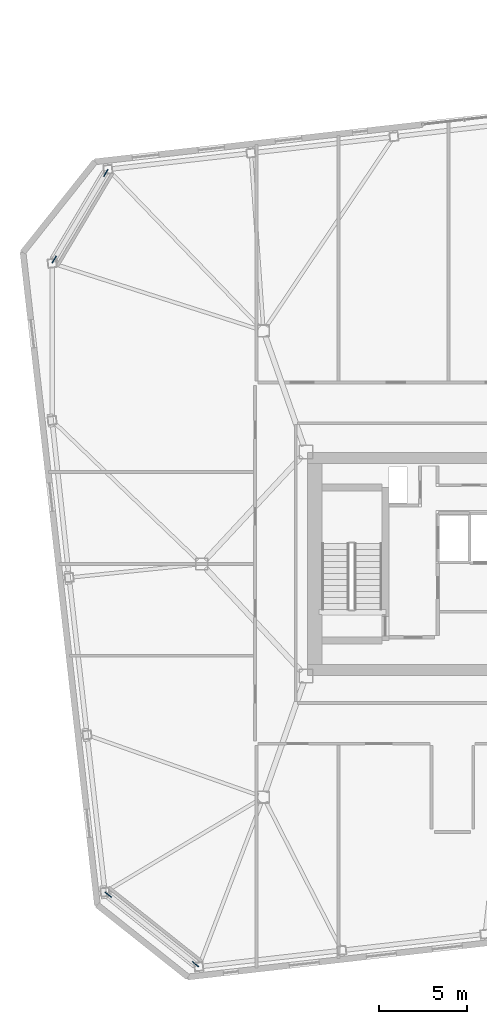
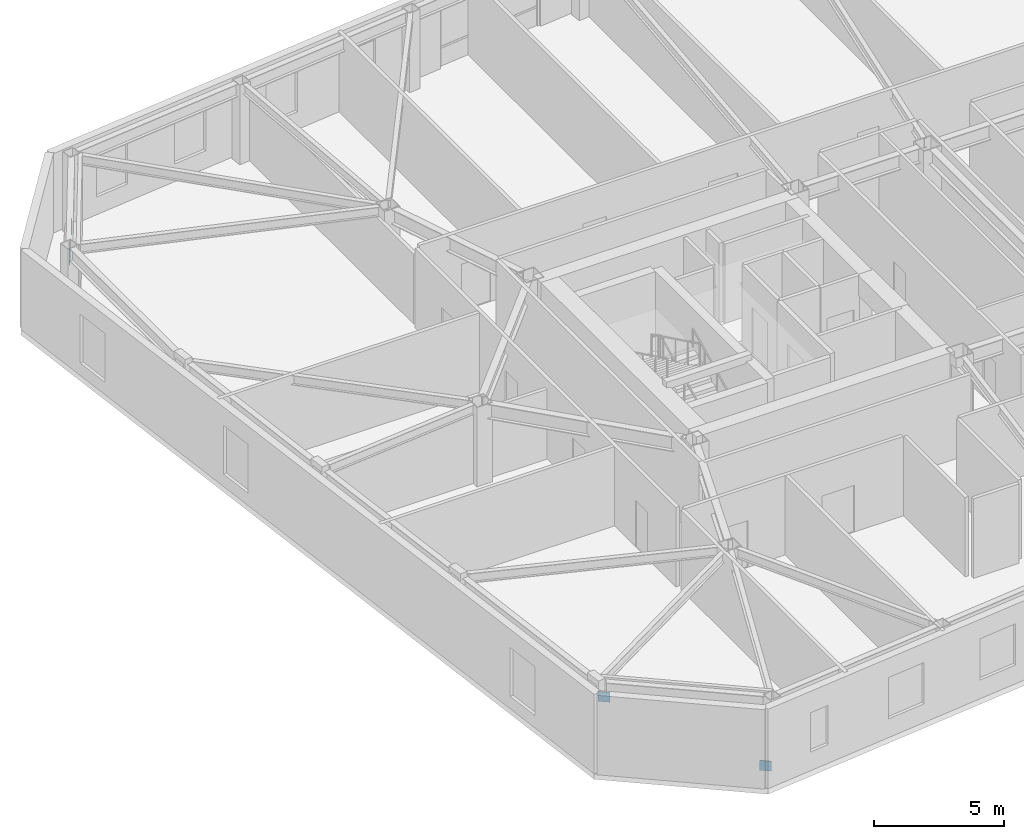
# One storey, part 17 of 20: 4 discrete accessories.
"""IFC4 building model written with IfcOpenShell, lengths in metres."""

from ifc_helpers import new_model, si_unit, direction, frame, origin, origin_2d, place, context, subcontext, project, spatial, rectangle, extrude, material, type_object, element, save


model = new_model("IFC4")

# Units and contexts
model_context = context("Model", 3, precision=1e-05, world=origin(), true_north=direction((0.0, 1.0)))
body_context = subcontext(model_context, "Body", "Model", "MODEL_VIEW")
ifc_project = project(units=[si_unit("LENGTHUNIT", "METRE"), si_unit("AREAUNIT", "SQUARE_METRE"), si_unit("VOLUMEUNIT", "CUBIC_METRE"), si_unit("PLANEANGLEUNIT", "RADIAN"), si_unit("MASSUNIT", "GRAM", prefix="KILO")], contexts=[model_context])

# Site, building, storey
site_placement = place(None, origin())
site = spatial("IfcSite", under=ifc_project, at=site_placement, CompositionType="ELEMENT")
building_placement = place(site_placement, origin())
building = spatial("IfcBuilding", under=site, at=building_placement, Name="Tavrogorsk Clinical Tower", CompositionType="ELEMENT")
storey_placement = place(building_placement, frame((0.0, 0.0, 251.0)))
storey = spatial("IfcBuildingStorey", under=building, at=storey_placement, Name="L58", CompositionType="ELEMENT", Elevation=251.0)

# Discrete accessories
ifc_material = material(Name="Structural steel S440", Category="steel")
discrete_accessory_type = type_object("IfcDiscreteAccessoryType", Name="GussetPlateBracket_25", PredefinedType="BRACKET", material=ifc_material)
for number, where, z_axis, x_axis, name in (
    (1, (-33.428955078125, 22.143310546875, 0.17626953125), (0.0, 0.0, 1.0), (-0.511443073004, -0.859317160934, 0.0), "L58 Brace Gusset Plate EXOCRN-L58-3-A"),
    (2, (-36.349853515625, 17.23486328125, 2.75390625), (0.0, 0.0, 1.0), (-0.511443073004, -0.859317160934, 0.0), "L58 Brace Gusset Plate EXOCRN-L58-3-B"),
    (3, (-28.3515625, -22.654052734375, 0.168212890625), (0.0, 0.0, 1.0), (-0.782608156852, 0.622514636638, 0.0), "L58 Brace Gusset Plate EXOCRN-L58-4-A"),
    (4, (-33.29052734375, -18.725341796875, 2.761962890625), (0.0, 0.0, 1.0), (-0.782608156852, 0.622514636638, 0.0), "L58 Brace Gusset Plate EXOCRN-L58-4-B"),
):
    element("IfcDiscreteAccessory", number, at=place(storey_placement, frame(where, z_axis=z_axis, x_axis=x_axis)), inside=storey, type_object=discrete_accessory_type, Name=name, PredefinedType="BRACKET", context=body_context, shape_type="SweptSolid", body=[
        extrude(rectangle(XDim=0.4599609375, YDim=0.0400390625, at=origin_2d()), origin(), (0.0, 0.0, 1.0), 0.4599609375),
    ])

save(model, "model.ifc")
